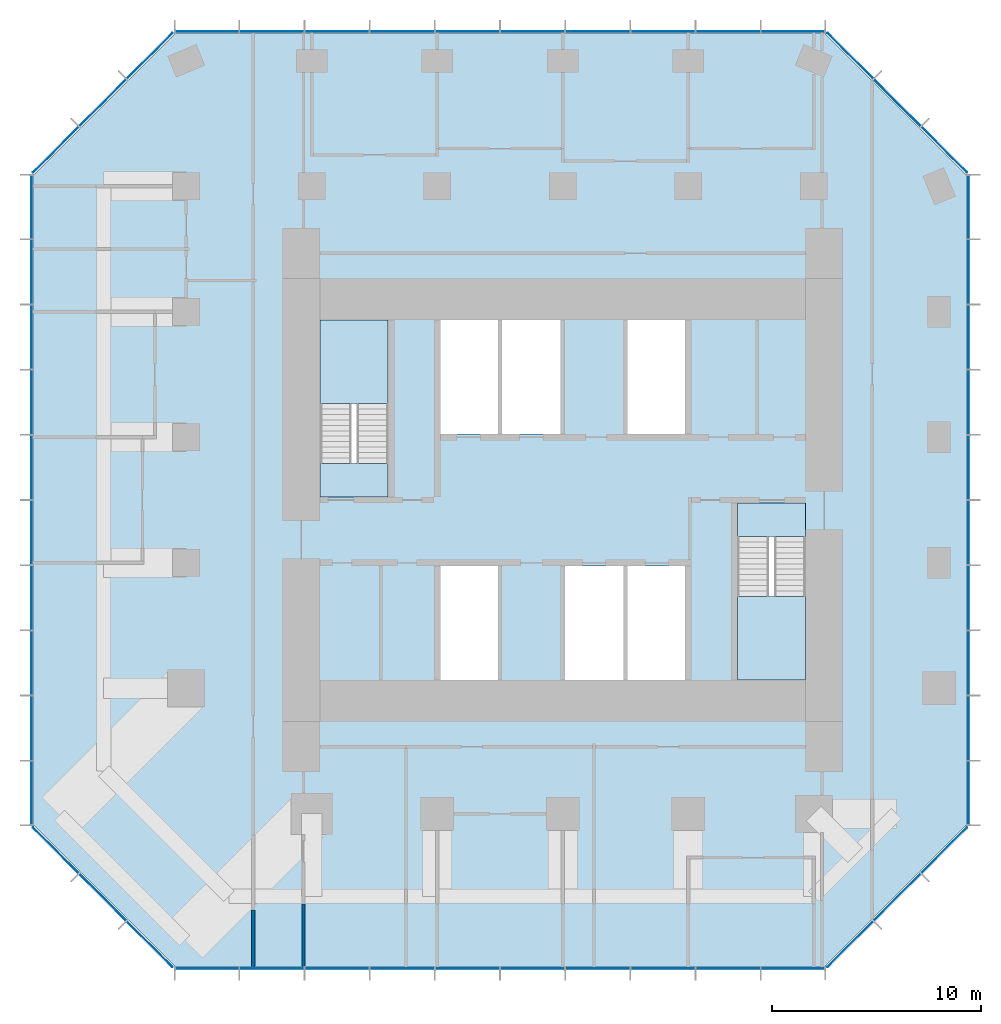
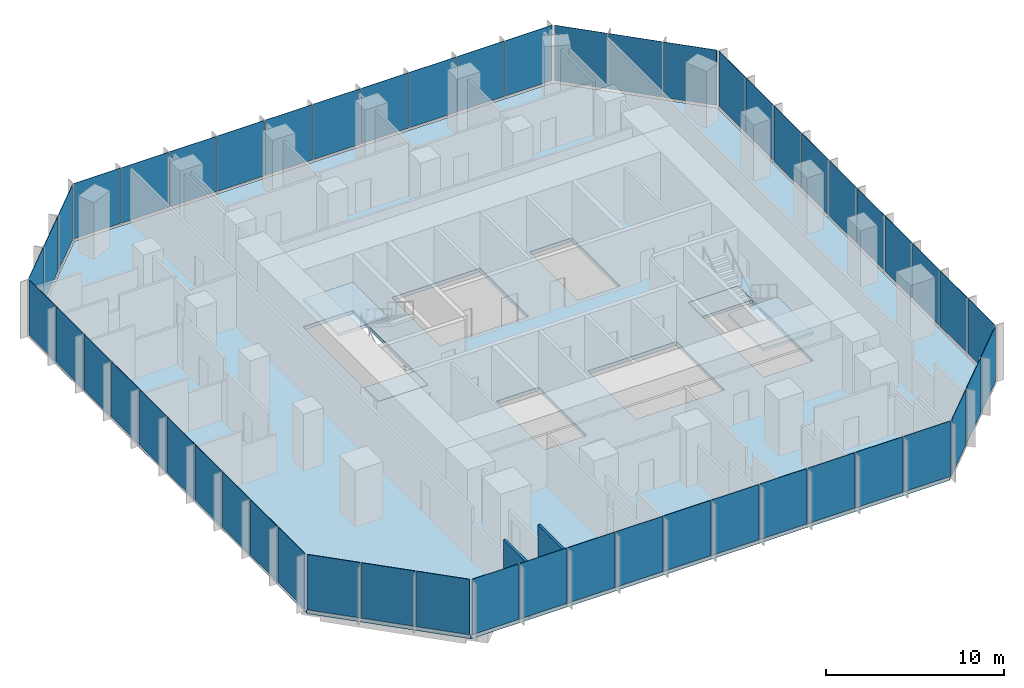
# One storey, part 7 of 11: 52 plates, 5 slabs, 2 walls, 10 elements without a shape of their own.
"""IFC4 building model written with IfcOpenShell, lengths in metres."""

from ifc_helpers import new_model, si_unit, direction, frame, frame_2d, origin, origin_2d, place, context, subcontext, project, spatial, polyline, rectangle, outline, extrude, material, layer, layer_set, type_object, element, aggregate, save


model = new_model("IFC4")

# Units and contexts
model_context = context("Model", 3, precision=1e-05, world=origin(), true_north=direction((0.0, 1.0)))
body_context = subcontext(model_context, "Body", "Model", "MODEL_VIEW")
ifc_project = project(units=[si_unit("LENGTHUNIT", "METRE"), si_unit("AREAUNIT", "SQUARE_METRE"), si_unit("VOLUMEUNIT", "CUBIC_METRE"), si_unit("PLANEANGLEUNIT", "RADIAN"), si_unit("MASSUNIT", "GRAM", prefix="KILO")], contexts=[model_context])

# Site, building, storey
site_placement = place(None, origin())
site = spatial("IfcSite", under=ifc_project, at=site_placement, CompositionType="ELEMENT")
building_placement = place(site_placement, origin())
building = spatial("IfcBuilding", under=site, at=building_placement, Name="Highveld Stack Headquarters", CompositionType="ELEMENT")
storey_placement = place(building_placement, frame((0.0, 0.0, 216.199951171875)))
storey = spatial("IfcBuildingStorey", under=building, at=storey_placement, Name="L53", CompositionType="ELEMENT", Elevation=216.199951171875)

# Curtain wall, plates
ifc_material_1 = material(Name="Aluminium bronze anodised", Category="aluminium")
ifc_layer_1 = layer(ifc_material_1, 0.199951171875)
ifc_layer_set_1 = layer_set([ifc_layer_1], Name="Aluminium bronze anodised")
curtain_wall_type_1 = type_object("IfcCurtainWallType", Name="CW1 TOWER UNITISED CURTAIN WALL", PredefinedType="NOTDEFINED", material=ifc_layer_set_1)
curtain_wall_1_placement = place(storey_placement, origin())
curtain_wall_1 = element("IfcCurtainWall", 1, at=curtain_wall_1_placement, inside=storey, type_object=curtain_wall_type_1, Name="Curtain wall CW1 L53 S", PredefinedType="NOTDEFINED")
ifc_material_2 = material(Name="Glass bronze tinted double glazed unit", Category="glass")
ifc_layer_2 = layer(ifc_material_2, 0.028076171875)
ifc_layer_set_2 = layer_set([ifc_layer_2], Name="Glass bronze tinted double glazed unit")
plate_type_1 = type_object("IfcPlateType", Name="CW1 PANEL BRONZE TINTED DOUBLE GLAZED UNIT", PredefinedType="CURTAIN_PANEL", material=ifc_layer_set_2)
plate_1_placement = place(storey_placement, frame((-11.005615234375, -19.39990234375, 0.10009765625), z_axis=(0.0, 0.0, 1.0), x_axis=(1.0, 0.0, 0.0)))
plate_1 = element("IfcPlate", 2, at=plate_1_placement, type_object=plate_type_1, Name="CW1 panel L53 1.1", PredefinedType="CURTAIN_PANEL", context=body_context, shape_type="SweptSolid", body=[
    extrude(rectangle(XDim=3.0185546875, YDim=0.028076171875, at=origin_2d()), origin(), (0.0, 0.0, 1.0), 3.800048828125),
])
plate_2_placement = place(storey_placement, frame((-7.906005859375, -19.39990234375, 0.10009765625), z_axis=(0.0, 0.0, 1.0), x_axis=(1.0, 0.0, 0.0)))
plate_2 = element("IfcPlate", 3, at=plate_2_placement, type_object=plate_type_1, Name="CW1 panel L53 2.1", PredefinedType="CURTAIN_PANEL", context=body_context, shape_type="SweptSolid", body=[
    extrude(rectangle(XDim=3.051025390625, YDim=0.028076171875, at=origin_2d()), origin(), (0.0, 0.0, 1.0), 3.800048828125),
])
plate_3_placement = place(storey_placement, frame((-4.7900390625, -19.39990234375, 0.10009765625), z_axis=(0.0, 0.0, 1.0), x_axis=(1.0, 0.0, 0.0)))
plate_3 = element("IfcPlate", 4, at=plate_3_placement, type_object=plate_type_1, Name="CW1 panel L53 3.1", PredefinedType="CURTAIN_PANEL", context=body_context, shape_type="SweptSolid", body=[
    extrude(rectangle(XDim=3.051025390625, YDim=0.028076171875, at=origin_2d()), origin(), (0.0, 0.0, 1.0), 3.800048828125),
])
plate_4_placement = place(storey_placement, frame((-1.674072265625, -19.39990234375, 0.10009765625), z_axis=(0.0, 0.0, 1.0), x_axis=(1.0, 0.0, 0.0)))
plate_4 = element("IfcPlate", 5, at=plate_4_placement, type_object=plate_type_1, Name="CW1 panel L53 4.1", PredefinedType="CURTAIN_PANEL", context=body_context, shape_type="SweptSolid", body=[
    extrude(rectangle(XDim=3.051025390625, YDim=0.028076171875, at=origin_2d()), origin(), (0.0, 0.0, 1.0), 3.800048828125),
])
plate_5_placement = place(storey_placement, frame((1.44189453125, -19.39990234375, 0.10009765625), z_axis=(0.0, 0.0, 1.0), x_axis=(1.0, 0.0, 0.0)))
plate_5 = element("IfcPlate", 6, at=plate_5_placement, type_object=plate_type_1, Name="CW1 panel L53 5.1", PredefinedType="CURTAIN_PANEL", context=body_context, shape_type="SweptSolid", body=[
    extrude(rectangle(XDim=3.051025390625, YDim=0.028076171875, at=origin_2d()), origin(), (0.0, 0.0, 1.0), 3.800048828125),
])
plate_6_placement = place(storey_placement, frame((4.55810546875, -19.39990234375, 0.10009765625), z_axis=(0.0, 0.0, 1.0), x_axis=(1.0, 0.0, 0.0)))
plate_6 = element("IfcPlate", 7, at=plate_6_placement, type_object=plate_type_1, Name="CW1 panel L53 6.1", PredefinedType="CURTAIN_PANEL", context=body_context, shape_type="SweptSolid", body=[
    extrude(rectangle(XDim=3.051025390625, YDim=0.028076171875, at=origin_2d()), origin(), (0.0, 0.0, 1.0), 3.800048828125),
])
plate_7_placement = place(storey_placement, frame((7.674072265625, -19.39990234375, 0.10009765625), z_axis=(0.0, 0.0, 1.0), x_axis=(1.0, 0.0, 0.0)))
plate_7 = element("IfcPlate", 8, at=plate_7_placement, type_object=plate_type_1, Name="CW1 panel L53 7.1", PredefinedType="CURTAIN_PANEL", context=body_context, shape_type="SweptSolid", body=[
    extrude(rectangle(XDim=3.051025390625, YDim=0.028076171875, at=origin_2d()), origin(), (0.0, 0.0, 1.0), 3.800048828125),
])
plate_8_placement = place(storey_placement, frame((10.789794921875, -19.39990234375, 0.10009765625), z_axis=(0.0, 0.0, 1.0), x_axis=(1.0, 0.0, 0.0)))
plate_8 = element("IfcPlate", 9, at=plate_8_placement, type_object=plate_type_1, Name="CW1 panel L53 8.1", PredefinedType="CURTAIN_PANEL", context=body_context, shape_type="SweptSolid", body=[
    extrude(rectangle(XDim=3.051025390625, YDim=0.028076171875, at=origin_2d()), origin(), (0.0, 0.0, 1.0), 3.800048828125),
])
plate_9_placement = place(storey_placement, frame((13.906005859375, -19.39990234375, 0.10009765625), z_axis=(0.0, 0.0, 1.0), x_axis=(1.0, 0.0, 0.0)))
plate_9 = element("IfcPlate", 10, at=plate_9_placement, type_object=plate_type_1, Name="CW1 panel L53 9.1", PredefinedType="CURTAIN_PANEL", context=body_context, shape_type="SweptSolid", body=[
    extrude(rectangle(XDim=3.051025390625, YDim=0.028076171875, at=origin_2d()), origin(), (0.0, 0.0, 1.0), 3.800048828125),
])
plate_10_placement = place(storey_placement, frame((17.005615234375, -19.39990234375, 0.10009765625), z_axis=(0.0, 0.0, 1.0), x_axis=(1.0, 0.0, 0.0)))
plate_10 = element("IfcPlate", 11, at=plate_10_placement, type_object=plate_type_1, Name="CW1 panel L53 10.1", PredefinedType="CURTAIN_PANEL", context=body_context, shape_type="SweptSolid", body=[
    extrude(rectangle(XDim=3.0185546875, YDim=0.028076171875, at=origin_2d()), origin(), (0.0, 0.0, 1.0), 3.800048828125),
])
aggregate(curtain_wall_1, [plate_1, plate_2, plate_3, plate_4, plate_5, plate_6, plate_7, plate_8, plate_9, plate_10])

curtain_wall_2_placement = place(storey_placement, origin())
curtain_wall_2 = element("IfcCurtainWall", 12, at=curtain_wall_2_placement, inside=storey, type_object=curtain_wall_type_1, Name="Curtain wall CW1 L53 E", PredefinedType="NOTDEFINED")
plate_11_placement = place(storey_placement, frame((25.39990234375, -11.005615234375, 0.10009765625), z_axis=(0.0, 0.0, 1.0), x_axis=(0.0, 1.0, 0.0)))
plate_11 = element("IfcPlate", 13, at=plate_11_placement, type_object=plate_type_1, Name="CW1 panel L53 1.1", PredefinedType="CURTAIN_PANEL", context=body_context, shape_type="SweptSolid", body=[
    extrude(rectangle(XDim=3.0185546875, YDim=0.028076171875, at=origin_2d()), origin(), (0.0, 0.0, 1.0), 3.800048828125),
])
plate_12_placement = place(storey_placement, frame((25.39990234375, -7.906005859375, 0.10009765625), z_axis=(0.0, 0.0, 1.0), x_axis=(0.0, 1.0, 0.0)))
plate_12 = element("IfcPlate", 14, at=plate_12_placement, type_object=plate_type_1, Name="CW1 panel L53 2.1", PredefinedType="CURTAIN_PANEL", context=body_context, shape_type="SweptSolid", body=[
    extrude(rectangle(XDim=3.051025390625, YDim=0.028076171875, at=origin_2d()), origin(), (0.0, 0.0, 1.0), 3.800048828125),
])
plate_13_placement = place(storey_placement, frame((25.39990234375, -4.7900390625, 0.10009765625), z_axis=(0.0, 0.0, 1.0), x_axis=(0.0, 1.0, 0.0)))
plate_13 = element("IfcPlate", 15, at=plate_13_placement, type_object=plate_type_1, Name="CW1 panel L53 3.1", PredefinedType="CURTAIN_PANEL", context=body_context, shape_type="SweptSolid", body=[
    extrude(rectangle(XDim=3.051025390625, YDim=0.028076171875, at=origin_2d()), origin(), (0.0, 0.0, 1.0), 3.800048828125),
])
plate_14_placement = place(storey_placement, frame((25.39990234375, -1.674072265625, 0.10009765625), z_axis=(0.0, 0.0, 1.0), x_axis=(0.0, 1.0, 0.0)))
plate_14 = element("IfcPlate", 16, at=plate_14_placement, type_object=plate_type_1, Name="CW1 panel L53 4.1", PredefinedType="CURTAIN_PANEL", context=body_context, shape_type="SweptSolid", body=[
    extrude(rectangle(XDim=3.051025390625, YDim=0.028076171875, at=origin_2d()), origin(), (0.0, 0.0, 1.0), 3.800048828125),
])
plate_15_placement = place(storey_placement, frame((25.39990234375, 1.44189453125, 0.10009765625), z_axis=(0.0, 0.0, 1.0), x_axis=(0.0, 1.0, 0.0)))
plate_15 = element("IfcPlate", 17, at=plate_15_placement, type_object=plate_type_1, Name="CW1 panel L53 5.1", PredefinedType="CURTAIN_PANEL", context=body_context, shape_type="SweptSolid", body=[
    extrude(rectangle(XDim=3.051025390625, YDim=0.028076171875, at=origin_2d()), origin(), (0.0, 0.0, 1.0), 3.800048828125),
])
plate_16_placement = place(storey_placement, frame((25.39990234375, 4.55810546875, 0.10009765625), z_axis=(0.0, 0.0, 1.0), x_axis=(0.0, 1.0, 0.0)))
plate_16 = element("IfcPlate", 18, at=plate_16_placement, type_object=plate_type_1, Name="CW1 panel L53 6.1", PredefinedType="CURTAIN_PANEL", context=body_context, shape_type="SweptSolid", body=[
    extrude(rectangle(XDim=3.051025390625, YDim=0.028076171875, at=origin_2d()), origin(), (0.0, 0.0, 1.0), 3.800048828125),
])
plate_17_placement = place(storey_placement, frame((25.39990234375, 7.674072265625, 0.10009765625), z_axis=(0.0, 0.0, 1.0), x_axis=(0.0, 1.0, 0.0)))
plate_17 = element("IfcPlate", 19, at=plate_17_placement, type_object=plate_type_1, Name="CW1 panel L53 7.1", PredefinedType="CURTAIN_PANEL", context=body_context, shape_type="SweptSolid", body=[
    extrude(rectangle(XDim=3.051025390625, YDim=0.028076171875, at=origin_2d()), origin(), (0.0, 0.0, 1.0), 3.800048828125),
])
plate_18_placement = place(storey_placement, frame((25.39990234375, 10.789794921875, 0.10009765625), z_axis=(0.0, 0.0, 1.0), x_axis=(0.0, 1.0, 0.0)))
plate_18 = element("IfcPlate", 20, at=plate_18_placement, type_object=plate_type_1, Name="CW1 panel L53 8.1", PredefinedType="CURTAIN_PANEL", context=body_context, shape_type="SweptSolid", body=[
    extrude(rectangle(XDim=3.051025390625, YDim=0.028076171875, at=origin_2d()), origin(), (0.0, 0.0, 1.0), 3.800048828125),
])
plate_19_placement = place(storey_placement, frame((25.39990234375, 13.906005859375, 0.10009765625), z_axis=(0.0, 0.0, 1.0), x_axis=(0.0, 1.0, 0.0)))
plate_19 = element("IfcPlate", 21, at=plate_19_placement, type_object=plate_type_1, Name="CW1 panel L53 9.1", PredefinedType="CURTAIN_PANEL", context=body_context, shape_type="SweptSolid", body=[
    extrude(rectangle(XDim=3.051025390625, YDim=0.028076171875, at=origin_2d()), origin(), (0.0, 0.0, 1.0), 3.800048828125),
])
plate_20_placement = place(storey_placement, frame((25.39990234375, 17.005615234375, 0.10009765625), z_axis=(0.0, 0.0, 1.0), x_axis=(0.0, 1.0, 0.0)))
plate_20 = element("IfcPlate", 22, at=plate_20_placement, type_object=plate_type_1, Name="CW1 panel L53 10.1", PredefinedType="CURTAIN_PANEL", context=body_context, shape_type="SweptSolid", body=[
    extrude(rectangle(XDim=3.0185546875, YDim=0.028076171875, at=origin_2d()), origin(), (0.0, 0.0, 1.0), 3.800048828125),
])
aggregate(curtain_wall_2, [plate_11, plate_12, plate_13, plate_14, plate_15, plate_16, plate_17, plate_18, plate_19, plate_20])

curtain_wall_3_placement = place(storey_placement, origin())
curtain_wall_3 = element("IfcCurtainWall", 23, at=curtain_wall_3_placement, inside=storey, type_object=curtain_wall_type_1, Name="Curtain wall CW1 L53 N", PredefinedType="NOTDEFINED")
plate_21_placement = place(storey_placement, frame((17.005615234375, 25.39990234375, 0.10009765625), z_axis=(0.0, 0.0, 1.0), x_axis=(-1.0, 0.0, 0.0)))
plate_21 = element("IfcPlate", 24, at=plate_21_placement, type_object=plate_type_1, Name="CW1 panel L53 1.1", PredefinedType="CURTAIN_PANEL", context=body_context, shape_type="SweptSolid", body=[
    extrude(rectangle(XDim=3.0185546875, YDim=0.028076171875, at=origin_2d()), origin(), (0.0, 0.0, 1.0), 3.800048828125),
])
plate_22_placement = place(storey_placement, frame((13.906005859375, 25.39990234375, 0.10009765625), z_axis=(0.0, 0.0, 1.0), x_axis=(-1.0, 0.0, 0.0)))
plate_22 = element("IfcPlate", 25, at=plate_22_placement, type_object=plate_type_1, Name="CW1 panel L53 2.1", PredefinedType="CURTAIN_PANEL", context=body_context, shape_type="SweptSolid", body=[
    extrude(rectangle(XDim=3.051025390625, YDim=0.028076171875, at=origin_2d()), origin(), (0.0, 0.0, 1.0), 3.800048828125),
])
plate_23_placement = place(storey_placement, frame((10.7900390625, 25.39990234375, 0.10009765625), z_axis=(0.0, 0.0, 1.0), x_axis=(-1.0, 0.0, 0.0)))
plate_23 = element("IfcPlate", 26, at=plate_23_placement, type_object=plate_type_1, Name="CW1 panel L53 3.1", PredefinedType="CURTAIN_PANEL", context=body_context, shape_type="SweptSolid", body=[
    extrude(rectangle(XDim=3.051025390625, YDim=0.028076171875, at=origin_2d()), origin(), (0.0, 0.0, 1.0), 3.800048828125),
])
plate_24_placement = place(storey_placement, frame((7.674072265625, 25.39990234375, 0.10009765625), z_axis=(0.0, 0.0, 1.0), x_axis=(-1.0, 0.0, 0.0)))
plate_24 = element("IfcPlate", 27, at=plate_24_placement, type_object=plate_type_1, Name="CW1 panel L53 4.1", PredefinedType="CURTAIN_PANEL", context=body_context, shape_type="SweptSolid", body=[
    extrude(rectangle(XDim=3.051025390625, YDim=0.028076171875, at=origin_2d()), origin(), (0.0, 0.0, 1.0), 3.800048828125),
])
plate_25_placement = place(storey_placement, frame((4.55810546875, 25.39990234375, 0.10009765625), z_axis=(0.0, 0.0, 1.0), x_axis=(-1.0, 0.0, 0.0)))
plate_25 = element("IfcPlate", 28, at=plate_25_placement, type_object=plate_type_1, Name="CW1 panel L53 5.1", PredefinedType="CURTAIN_PANEL", context=body_context, shape_type="SweptSolid", body=[
    extrude(rectangle(XDim=3.051025390625, YDim=0.028076171875, at=origin_2d()), origin(), (0.0, 0.0, 1.0), 3.800048828125),
])
plate_26_placement = place(storey_placement, frame((1.44189453125, 25.39990234375, 0.10009765625), z_axis=(0.0, 0.0, 1.0), x_axis=(-1.0, 0.0, 0.0)))
plate_26 = element("IfcPlate", 29, at=plate_26_placement, type_object=plate_type_1, Name="CW1 panel L53 6.1", PredefinedType="CURTAIN_PANEL", context=body_context, shape_type="SweptSolid", body=[
    extrude(rectangle(XDim=3.051025390625, YDim=0.028076171875, at=origin_2d()), origin(), (0.0, 0.0, 1.0), 3.800048828125),
])
plate_27_placement = place(storey_placement, frame((-1.674072265625, 25.39990234375, 0.10009765625), z_axis=(0.0, 0.0, 1.0), x_axis=(-1.0, 0.0, 0.0)))
plate_27 = element("IfcPlate", 30, at=plate_27_placement, type_object=plate_type_1, Name="CW1 panel L53 7.1", PredefinedType="CURTAIN_PANEL", context=body_context, shape_type="SweptSolid", body=[
    extrude(rectangle(XDim=3.051025390625, YDim=0.028076171875, at=origin_2d()), origin(), (0.0, 0.0, 1.0), 3.800048828125),
])
plate_28_placement = place(storey_placement, frame((-4.789794921875, 25.39990234375, 0.10009765625), z_axis=(0.0, 0.0, 1.0), x_axis=(-1.0, 0.0, 0.0)))
plate_28 = element("IfcPlate", 31, at=plate_28_placement, type_object=plate_type_1, Name="CW1 panel L53 8.1", PredefinedType="CURTAIN_PANEL", context=body_context, shape_type="SweptSolid", body=[
    extrude(rectangle(XDim=3.051025390625, YDim=0.028076171875, at=origin_2d()), origin(), (0.0, 0.0, 1.0), 3.800048828125),
])
plate_29_placement = place(storey_placement, frame((-7.906005859375, 25.39990234375, 0.10009765625), z_axis=(0.0, 0.0, 1.0), x_axis=(-1.0, 0.0, 0.0)))
plate_29 = element("IfcPlate", 32, at=plate_29_placement, type_object=plate_type_1, Name="CW1 panel L53 9.1", PredefinedType="CURTAIN_PANEL", context=body_context, shape_type="SweptSolid", body=[
    extrude(rectangle(XDim=3.051025390625, YDim=0.028076171875, at=origin_2d()), origin(), (0.0, 0.0, 1.0), 3.800048828125),
])
plate_30_placement = place(storey_placement, frame((-11.005615234375, 25.39990234375, 0.10009765625), z_axis=(0.0, 0.0, 1.0), x_axis=(-1.0, 0.0, 0.0)))
plate_30 = element("IfcPlate", 33, at=plate_30_placement, type_object=plate_type_1, Name="CW1 panel L53 10.1", PredefinedType="CURTAIN_PANEL", context=body_context, shape_type="SweptSolid", body=[
    extrude(rectangle(XDim=3.0185546875, YDim=0.028076171875, at=origin_2d()), origin(), (0.0, 0.0, 1.0), 3.800048828125),
])
aggregate(curtain_wall_3, [plate_21, plate_22, plate_23, plate_24, plate_25, plate_26, plate_27, plate_28, plate_29, plate_30])

curtain_wall_4_placement = place(storey_placement, origin())
curtain_wall_4 = element("IfcCurtainWall", 34, at=curtain_wall_4_placement, inside=storey, type_object=curtain_wall_type_1, Name="Curtain wall CW1 L53 W", PredefinedType="NOTDEFINED")
plate_31_placement = place(storey_placement, frame((-19.39990234375, 17.005615234375, 0.10009765625), z_axis=(0.0, 0.0, 1.0), x_axis=(0.0, -1.0, 0.0)))
plate_31 = element("IfcPlate", 35, at=plate_31_placement, type_object=plate_type_1, Name="CW1 panel L53 1.1", PredefinedType="CURTAIN_PANEL", context=body_context, shape_type="SweptSolid", body=[
    extrude(rectangle(XDim=3.0185546875, YDim=0.028076171875, at=origin_2d()), origin(), (0.0, 0.0, 1.0), 3.800048828125),
])
plate_32_placement = place(storey_placement, frame((-19.39990234375, 13.906005859375, 0.10009765625), z_axis=(0.0, 0.0, 1.0), x_axis=(0.0, -1.0, 0.0)))
plate_32 = element("IfcPlate", 36, at=plate_32_placement, type_object=plate_type_1, Name="CW1 panel L53 2.1", PredefinedType="CURTAIN_PANEL", context=body_context, shape_type="SweptSolid", body=[
    extrude(rectangle(XDim=3.051025390625, YDim=0.028076171875, at=origin_2d()), origin(), (0.0, 0.0, 1.0), 3.800048828125),
])
plate_33_placement = place(storey_placement, frame((-19.39990234375, 10.7900390625, 0.10009765625), z_axis=(0.0, 0.0, 1.0), x_axis=(0.0, -1.0, 0.0)))
plate_33 = element("IfcPlate", 37, at=plate_33_placement, type_object=plate_type_1, Name="CW1 panel L53 3.1", PredefinedType="CURTAIN_PANEL", context=body_context, shape_type="SweptSolid", body=[
    extrude(rectangle(XDim=3.051025390625, YDim=0.028076171875, at=origin_2d()), origin(), (0.0, 0.0, 1.0), 3.800048828125),
])
plate_34_placement = place(storey_placement, frame((-19.39990234375, 7.674072265625, 0.10009765625), z_axis=(0.0, 0.0, 1.0), x_axis=(0.0, -1.0, 0.0)))
plate_34 = element("IfcPlate", 38, at=plate_34_placement, type_object=plate_type_1, Name="CW1 panel L53 4.1", PredefinedType="CURTAIN_PANEL", context=body_context, shape_type="SweptSolid", body=[
    extrude(rectangle(XDim=3.051025390625, YDim=0.028076171875, at=origin_2d()), origin(), (0.0, 0.0, 1.0), 3.800048828125),
])
plate_35_placement = place(storey_placement, frame((-19.39990234375, 4.55810546875, 0.10009765625), z_axis=(0.0, 0.0, 1.0), x_axis=(0.0, -1.0, 0.0)))
plate_35 = element("IfcPlate", 39, at=plate_35_placement, type_object=plate_type_1, Name="CW1 panel L53 5.1", PredefinedType="CURTAIN_PANEL", context=body_context, shape_type="SweptSolid", body=[
    extrude(rectangle(XDim=3.051025390625, YDim=0.028076171875, at=origin_2d()), origin(), (0.0, 0.0, 1.0), 3.800048828125),
])
plate_36_placement = place(storey_placement, frame((-19.39990234375, 1.44189453125, 0.10009765625), z_axis=(0.0, 0.0, 1.0), x_axis=(0.0, -1.0, 0.0)))
plate_36 = element("IfcPlate", 40, at=plate_36_placement, type_object=plate_type_1, Name="CW1 panel L53 6.1", PredefinedType="CURTAIN_PANEL", context=body_context, shape_type="SweptSolid", body=[
    extrude(rectangle(XDim=3.051025390625, YDim=0.028076171875, at=origin_2d()), origin(), (0.0, 0.0, 1.0), 3.800048828125),
])
plate_37_placement = place(storey_placement, frame((-19.39990234375, -1.674072265625, 0.10009765625), z_axis=(0.0, 0.0, 1.0), x_axis=(0.0, -1.0, 0.0)))
plate_37 = element("IfcPlate", 41, at=plate_37_placement, type_object=plate_type_1, Name="CW1 panel L53 7.1", PredefinedType="CURTAIN_PANEL", context=body_context, shape_type="SweptSolid", body=[
    extrude(rectangle(XDim=3.051025390625, YDim=0.028076171875, at=origin_2d()), origin(), (0.0, 0.0, 1.0), 3.800048828125),
])
plate_38_placement = place(storey_placement, frame((-19.39990234375, -4.789794921875, 0.10009765625), z_axis=(0.0, 0.0, 1.0), x_axis=(0.0, -1.0, 0.0)))
plate_38 = element("IfcPlate", 42, at=plate_38_placement, type_object=plate_type_1, Name="CW1 panel L53 8.1", PredefinedType="CURTAIN_PANEL", context=body_context, shape_type="SweptSolid", body=[
    extrude(rectangle(XDim=3.051025390625, YDim=0.028076171875, at=origin_2d()), origin(), (0.0, 0.0, 1.0), 3.800048828125),
])
plate_39_placement = place(storey_placement, frame((-19.39990234375, -7.906005859375, 0.10009765625), z_axis=(0.0, 0.0, 1.0), x_axis=(0.0, -1.0, 0.0)))
plate_39 = element("IfcPlate", 43, at=plate_39_placement, type_object=plate_type_1, Name="CW1 panel L53 9.1", PredefinedType="CURTAIN_PANEL", context=body_context, shape_type="SweptSolid", body=[
    extrude(rectangle(XDim=3.051025390625, YDim=0.028076171875, at=origin_2d()), origin(), (0.0, 0.0, 1.0), 3.800048828125),
])
plate_40_placement = place(storey_placement, frame((-19.39990234375, -11.005615234375, 0.10009765625), z_axis=(0.0, 0.0, 1.0), x_axis=(0.0, -1.0, 0.0)))
plate_40 = element("IfcPlate", 44, at=plate_40_placement, type_object=plate_type_1, Name="CW1 panel L53 10.1", PredefinedType="CURTAIN_PANEL", context=body_context, shape_type="SweptSolid", body=[
    extrude(rectangle(XDim=3.0185546875, YDim=0.028076171875, at=origin_2d()), origin(), (0.0, 0.0, 1.0), 3.800048828125),
])
aggregate(curtain_wall_4, [plate_31, plate_32, plate_33, plate_34, plate_35, plate_36, plate_37, plate_38, plate_39, plate_40])

ifc_material_3 = material(Name="Aluminium bronze anodised", Category="aluminium")
ifc_layer_3 = layer(ifc_material_3, 0.199951171875)
ifc_layer_set_3 = layer_set([ifc_layer_3], Name="Aluminium bronze anodised")
curtain_wall_type_2 = type_object("IfcCurtainWallType", Name="CW2 TOWER CHAMFER UNITISED CURTAIN WALL", PredefinedType="NOTDEFINED", material=ifc_layer_set_3)
curtain_wall_5_placement = place(storey_placement, origin())
curtain_wall_5 = element("IfcCurtainWall", 45, at=curtain_wall_5_placement, inside=storey, type_object=curtain_wall_type_2, Name="Curtain wall CW2 L53 SE", PredefinedType="NOTDEFINED")
ifc_material_4 = material(Name="Glass bronze tinted double glazed unit", Category="glass")
ifc_layer_4 = layer(ifc_material_4, 0.028076171875)
ifc_layer_set_4 = layer_set([ifc_layer_4], Name="Glass bronze tinted double glazed unit")
plate_type_2 = type_object("IfcPlateType", Name="CW2 PANEL BRONZE TINTED DOUBLE GLAZED UNIT", PredefinedType="CURTAIN_PANEL", material=ifc_layer_set_4)
plate_41_placement = place(storey_placement, frame((19.740478515625, -18.239501953125, 0.10009765625), z_axis=(0.0, 0.0, 1.0), x_axis=(0.707106781187, 0.707106781187, 0.0)))
plate_41 = element("IfcPlate", 46, at=plate_41_placement, type_object=plate_type_2, Name="CW2 panel L53 1.1", PredefinedType="CURTAIN_PANEL", context=body_context, shape_type="SweptSolid", body=[
    extrude(rectangle(XDim=3.08251953125, YDim=0.028076171875, at=origin_2d()), origin(), (0.0, 0.0, 1.0), 3.800048828125),
])
plate_42_placement = place(storey_placement, frame((21.989990234375, -15.989990234375, 0.10009765625), z_axis=(0.0, 0.0, 1.0), x_axis=(0.707106781187, 0.707106781187, 0.0)))
plate_42 = element("IfcPlate", 47, at=plate_42_placement, type_object=plate_type_2, Name="CW2 panel L53 2.1", PredefinedType="CURTAIN_PANEL", context=body_context, shape_type="SweptSolid", body=[
    extrude(rectangle(XDim=3.14990234375, YDim=0.028076171875, at=origin_2d()), origin(), (0.0, 0.0, 1.0), 3.800048828125),
])
plate_43_placement = place(storey_placement, frame((24.239501953125, -13.740478515625, 0.10009765625), z_axis=(0.0, 0.0, 1.0), x_axis=(0.707106781187, 0.707106781187, 0.0)))
plate_43 = element("IfcPlate", 48, at=plate_43_placement, type_object=plate_type_2, Name="CW2 panel L53 3.1", PredefinedType="CURTAIN_PANEL", context=body_context, shape_type="SweptSolid", body=[
    extrude(rectangle(XDim=3.08251953125, YDim=0.028076171875, at=origin_2d()), origin(), (0.0, 0.0, 1.0), 3.800048828125),
])
aggregate(curtain_wall_5, [plate_41, plate_42, plate_43])

curtain_wall_6_placement = place(storey_placement, origin())
curtain_wall_6 = element("IfcCurtainWall", 49, at=curtain_wall_6_placement, inside=storey, type_object=curtain_wall_type_2, Name="Curtain wall CW2 L53 NE", PredefinedType="NOTDEFINED")
plate_44_placement = place(storey_placement, frame((24.239501953125, 19.740478515625, 0.10009765625), z_axis=(0.0, 0.0, 1.0), x_axis=(-0.707106781187, 0.707106781187, 0.0)))
plate_44 = element("IfcPlate", 50, at=plate_44_placement, type_object=plate_type_2, Name="CW2 panel L53 1.1", PredefinedType="CURTAIN_PANEL", context=body_context, shape_type="SweptSolid", body=[
    extrude(rectangle(XDim=3.08251953125, YDim=0.028076171875, at=origin_2d()), origin(), (0.0, 0.0, 1.0), 3.800048828125),
])
plate_45_placement = place(storey_placement, frame((21.989990234375, 21.989990234375, 0.10009765625), z_axis=(0.0, 0.0, 1.0), x_axis=(-0.707106781187, 0.707106781187, 0.0)))
plate_45 = element("IfcPlate", 51, at=plate_45_placement, type_object=plate_type_2, Name="CW2 panel L53 2.1", PredefinedType="CURTAIN_PANEL", context=body_context, shape_type="SweptSolid", body=[
    extrude(rectangle(XDim=3.14990234375, YDim=0.028076171875, at=origin_2d()), origin(), (0.0, 0.0, 1.0), 3.800048828125),
])
plate_46_placement = place(storey_placement, frame((19.740478515625, 24.239501953125, 0.10009765625), z_axis=(0.0, 0.0, 1.0), x_axis=(-0.707106781187, 0.707106781187, 0.0)))
plate_46 = element("IfcPlate", 52, at=plate_46_placement, type_object=plate_type_2, Name="CW2 panel L53 3.1", PredefinedType="CURTAIN_PANEL", context=body_context, shape_type="SweptSolid", body=[
    extrude(rectangle(XDim=3.08251953125, YDim=0.028076171875, at=origin_2d()), origin(), (0.0, 0.0, 1.0), 3.800048828125),
])
aggregate(curtain_wall_6, [plate_44, plate_45, plate_46])

curtain_wall_7_placement = place(storey_placement, origin())
curtain_wall_7 = element("IfcCurtainWall", 53, at=curtain_wall_7_placement, inside=storey, type_object=curtain_wall_type_2, Name="Curtain wall CW2 L53 NW", PredefinedType="NOTDEFINED")
plate_47_placement = place(storey_placement, frame((-13.740478515625, 24.239501953125, 0.10009765625), z_axis=(0.0, 0.0, 1.0), x_axis=(-0.707106781187, -0.707106781187, 0.0)))
plate_47 = element("IfcPlate", 54, at=plate_47_placement, type_object=plate_type_2, Name="CW2 panel L53 1.1", PredefinedType="CURTAIN_PANEL", context=body_context, shape_type="SweptSolid", body=[
    extrude(rectangle(XDim=3.08251953125, YDim=0.028076171875, at=origin_2d()), origin(), (0.0, 0.0, 1.0), 3.800048828125),
])
plate_48_placement = place(storey_placement, frame((-15.989990234375, 21.989990234375, 0.10009765625), z_axis=(0.0, 0.0, 1.0), x_axis=(-0.707106781187, -0.707106781187, 0.0)))
plate_48 = element("IfcPlate", 55, at=plate_48_placement, type_object=plate_type_2, Name="CW2 panel L53 2.1", PredefinedType="CURTAIN_PANEL", context=body_context, shape_type="SweptSolid", body=[
    extrude(rectangle(XDim=3.14990234375, YDim=0.028076171875, at=origin_2d()), origin(), (0.0, 0.0, 1.0), 3.800048828125),
])
plate_49_placement = place(storey_placement, frame((-18.239501953125, 19.740478515625, 0.10009765625), z_axis=(0.0, 0.0, 1.0), x_axis=(-0.707106781187, -0.707106781187, 0.0)))
plate_49 = element("IfcPlate", 56, at=plate_49_placement, type_object=plate_type_2, Name="CW2 panel L53 3.1", PredefinedType="CURTAIN_PANEL", context=body_context, shape_type="SweptSolid", body=[
    extrude(rectangle(XDim=3.08251953125, YDim=0.028076171875, at=origin_2d()), origin(), (0.0, 0.0, 1.0), 3.800048828125),
])
aggregate(curtain_wall_7, [plate_47, plate_48, plate_49])

curtain_wall_8_placement = place(storey_placement, origin())
curtain_wall_8 = element("IfcCurtainWall", 57, at=curtain_wall_8_placement, inside=storey, type_object=curtain_wall_type_2, Name="Curtain wall CW2 L53 SW", PredefinedType="NOTDEFINED")
plate_50_placement = place(storey_placement, frame((-18.239501953125, -13.740478515625, 0.10009765625), z_axis=(0.0, 0.0, 1.0), x_axis=(0.707106781187, -0.707106781187, 0.0)))
plate_50 = element("IfcPlate", 58, at=plate_50_placement, type_object=plate_type_2, Name="CW2 panel L53 1.1", PredefinedType="CURTAIN_PANEL", context=body_context, shape_type="SweptSolid", body=[
    extrude(rectangle(XDim=3.08251953125, YDim=0.028076171875, at=origin_2d()), origin(), (0.0, 0.0, 1.0), 3.800048828125),
])
plate_51_placement = place(storey_placement, frame((-15.989990234375, -15.989990234375, 0.10009765625), z_axis=(0.0, 0.0, 1.0), x_axis=(0.707106781187, -0.707106781187, 0.0)))
plate_51 = element("IfcPlate", 59, at=plate_51_placement, type_object=plate_type_2, Name="CW2 panel L53 2.1", PredefinedType="CURTAIN_PANEL", context=body_context, shape_type="SweptSolid", body=[
    extrude(rectangle(XDim=3.14990234375, YDim=0.028076171875, at=origin_2d()), origin(), (0.0, 0.0, 1.0), 3.800048828125),
])
plate_52_placement = place(storey_placement, frame((-13.740478515625, -18.239501953125, 0.10009765625), z_axis=(0.0, 0.0, 1.0), x_axis=(0.707106781187, -0.707106781187, 0.0)))
plate_52 = element("IfcPlate", 60, at=plate_52_placement, type_object=plate_type_2, Name="CW2 panel L53 3.1", PredefinedType="CURTAIN_PANEL", context=body_context, shape_type="SweptSolid", body=[
    extrude(rectangle(XDim=3.08251953125, YDim=0.028076171875, at=origin_2d()), origin(), (0.0, 0.0, 1.0), 3.800048828125),
])
aggregate(curtain_wall_8, [plate_50, plate_51, plate_52])

# Slab
ifc_material_5 = material(Name="Concrete C60/75", Category="concrete")
ifc_layer_5 = layer(ifc_material_5, 0.25)
ifc_layer_set_5 = layer_set([ifc_layer_5], Name="Concrete C60/75")
slab_type_1 = type_object("IfcSlabType", Name="PT FLAT SLAB 250", PredefinedType="FLOOR", material=ifc_layer_set_5)
slab_1_placement = place(storey_placement, frame((0.0, 0.0, -0.25)))
element("IfcSlab", 61, at=slab_1_placement, inside=storey, type_object=slab_type_1, Name="Floor slab L53", PredefinedType="FLOOR", context=body_context, shape_type="SweptSolid", body=[
    extrude(outline(polyline([(-12.53857421875, -19.300048828125), (18.53857421875, -19.300048828125), (25.300048828125, -12.53857421875), (25.300048828125, 18.53857421875), (18.53857421875, 25.300048828125), (-12.53857421875, 25.300048828125), (-19.300048828125, 18.53857421875), (-19.300048828125, -12.53857421875), (-12.53857421875, -19.300048828125)]), holes=[polyline([(0.14990234375, 6.14990234375), (5.89990234375, 6.14990234375), (5.89990234375, 11.60009765625), (0.14990234375, 11.60009765625), (0.14990234375, 6.14990234375)]), polyline([(9.10009765625, 6.14990234375), (11.85009765625, 6.14990234375), (11.85009765625, 11.60009765625), (9.10009765625, 11.60009765625), (9.10009765625, 6.14990234375)]), polyline([(6.10009765625, -5.60009765625), (11.85009765625, -5.60009765625), (11.85009765625, -0.14990234375), (6.10009765625, -0.14990234375), (6.10009765625, -5.60009765625)]), polyline([(0.14990234375, -5.60009765625), (2.89990234375, -5.60009765625), (2.89990234375, -0.14990234375), (0.14990234375, -0.14990234375), (0.14990234375, -5.60009765625)]), polyline([(-5.60009765625, 3.14990234375), (-2.35009765625, 3.14990234375), (-2.35009765625, 11.60009765625), (-5.60009765625, 11.60009765625), (-5.60009765625, 3.14990234375)]), polyline([(14.35009765625, -5.60009765625), (17.60009765625, -5.60009765625), (17.60009765625, 2.85009765625), (14.35009765625, 2.85009765625), (14.35009765625, -5.60009765625)])]), origin(), (0.0, 0.0, 1.0), 0.25),
])

# Stair, slabs
ifc_material_6 = material(Name="Concrete C40/50, precast", Category="concrete")
stair_type_1 = type_object("IfcStairType", Name="STAIR S1 HALF TURN 1500", PredefinedType="HALF_TURN_STAIR", material=ifc_material_6)
stair_1_placement = place(storey_placement, origin())
stair_1 = element("IfcStair", 62, at=stair_1_placement, inside=storey, type_object=stair_type_1, Name="Stair S1 L53", PredefinedType="HALF_TURN_STAIR")
ifc_material_7 = material(Name="Concrete C40/50, precast", Category="concrete")
ifc_layer_6 = layer(ifc_material_7, 0.199951171875)
ifc_layer_set_6 = layer_set([ifc_layer_6], Name="Concrete C40/50, precast")
slab_type_2 = type_object("IfcSlabType", Name="STAIR LANDING 200", PredefinedType="LANDING", material=ifc_layer_set_6)
slab_2_placement = place(storey_placement, frame((0.0, 0.0, 1.75)))
slab_2 = element("IfcSlab", 63, at=slab_2_placement, type_object=slab_type_2, Name="S1 landing 1", PredefinedType="LANDING", context=body_context, shape_type="SweptSolid", body=[
    extrude(outline(polyline([(-5.60009765625, 7.610107421875), (-2.35009765625, 7.610107421875), (-2.35009765625, 11.60009765625), (-5.60009765625, 11.60009765625), (-5.60009765625, 7.610107421875)])), origin(), (0.0, 0.0, 1.0), 0.199951171875),
])
slab_3_placement = place(storey_placement, frame((0.0, 0.0, -0.199951171875)))
slab_3 = element("IfcSlab", 64, at=slab_3_placement, type_object=slab_type_2, Name="S1 landing 2", PredefinedType="LANDING", context=body_context, shape_type="SweptSolid", body=[
    extrude(outline(polyline([(-5.60009765625, 3.14990234375), (-2.35009765625, 3.14990234375), (-2.35009765625, 4.75), (-5.60009765625, 4.75), (-5.60009765625, 3.14990234375)])), origin(), (0.0, 0.0, 1.0), 0.199951171875),
])
aggregate(stair_1, [slab_2, slab_3])

ifc_material_8 = material(Name="Concrete C40/50, precast", Category="concrete")
stair_type_2 = type_object("IfcStairType", Name="STAIR S2 HALF TURN 1500", PredefinedType="HALF_TURN_STAIR", material=ifc_material_8)
stair_2_placement = place(storey_placement, origin())
stair_2 = element("IfcStair", 65, at=stair_2_placement, inside=storey, type_object=stair_type_2, Name="Stair S2 L53", PredefinedType="HALF_TURN_STAIR")
slab_4_placement = place(storey_placement, frame((0.0, 0.0, 1.75)))
slab_4 = element("IfcSlab", 66, at=slab_4_placement, type_object=slab_type_2, Name="S2 landing 1", PredefinedType="LANDING", context=body_context, shape_type="SweptSolid", body=[
    extrude(outline(polyline([(14.35009765625, -5.60009765625), (17.60009765625, -5.60009765625), (17.60009765625, -1.610107421875), (14.35009765625, -1.610107421875), (14.35009765625, -5.60009765625)])), origin(), (0.0, 0.0, 1.0), 0.199951171875),
])
slab_5_placement = place(storey_placement, frame((0.0, 0.0, -0.199951171875)))
slab_5 = element("IfcSlab", 67, at=slab_5_placement, type_object=slab_type_2, Name="S2 landing 2", PredefinedType="LANDING", context=body_context, shape_type="SweptSolid", body=[
    extrude(outline(polyline([(14.35009765625, 1.25), (17.60009765625, 1.25), (17.60009765625, 2.85009765625), (14.35009765625, 2.85009765625), (14.35009765625, 1.25)])), origin(), (0.0, 0.0, 1.0), 0.199951171875),
])
aggregate(stair_2, [slab_4, slab_5])

# Walls
ifc_material_9 = material(Name="Gypsum plasterboard on steel studs", Category="steel")
ifc_layer_7 = layer(ifc_material_9, 0.14990234375)
ifc_layer_set_7 = layer_set([ifc_layer_7], Name="Gypsum plasterboard on steel studs")
wall_type = type_object("IfcWallType", Name="PARTITION 150 PLASTERBOARD", PredefinedType="PARTITIONING", material=ifc_layer_set_7)
wall_1_placement = place(storey_placement, frame((-8.800048828125, -19.39990234375, 0.0), z_axis=(0.0, 0.0, 1.0), x_axis=(0.0, 1.0, 0.0)))
element("IfcWall", 68, at=wall_1_placement, inside=storey, type_object=wall_type, Name="Partition office neighbourhood L53", PredefinedType="PARTITIONING", context=body_context, shape_type="SweptSolid", body=[
    extrude(rectangle(XDim=2.807861328125, YDim=0.14990234375, at=frame_2d((1.40380859375, 0.0))), origin(), (0.0, 0.0, 1.0), 3.650146484375),
])
wall_2_placement = place(storey_placement, frame((-6.39990234375, -19.35009765625, 0.0), z_axis=(0.0, 0.0, 1.0), x_axis=(0.0, 1.0, 0.0)))
element("IfcWall", 69, at=wall_2_placement, inside=storey, type_object=wall_type, Name="Partition office neighbourhood L53", PredefinedType="PARTITIONING", context=body_context, shape_type="SweptSolid", body=[
    extrude(rectangle(XDim=3.0400390625, YDim=0.14990234375, at=frame_2d((1.52001953125, 0.0))), origin(), (0.0, 0.0, 1.0), 3.650146484375),
])

save(model, "model.ifc")
